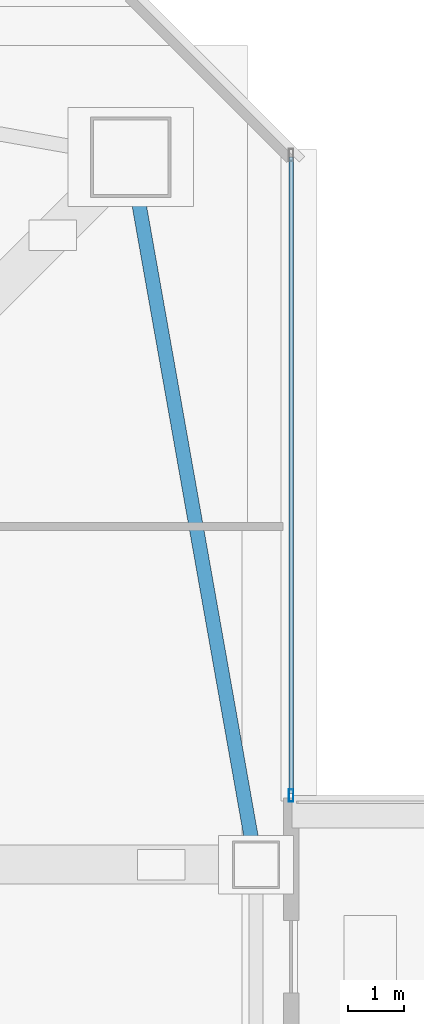
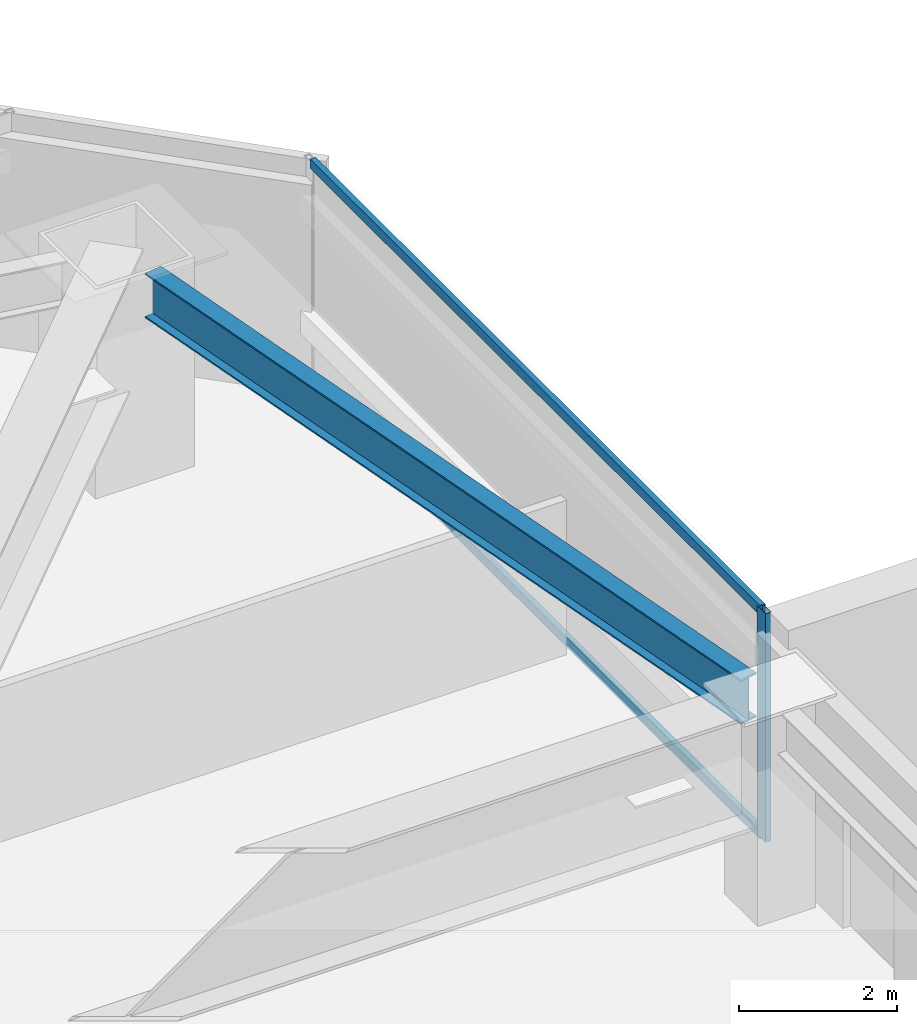
# One storey, part 15 of 49: 3 members, 1 beam, 1 element without a shape of its own.
"""IFC4 building model written with IfcOpenShell, lengths in metres."""

from ifc_helpers import new_model, si_unit, direction, frame, origin, origin_2d, place, context, subcontext, project, spatial, hollow_rectangle, i_section, extrude, material, material_profile, profile_set, type_object, element, aggregate, save


model = new_model("IFC4")

# Units and contexts
model_context = context("Model", 3, precision=1e-05, world=origin(), true_north=direction((0.0, 1.0)))
body_context = subcontext(model_context, "Body", "Model", "MODEL_VIEW")
ifc_project = project(units=[si_unit("LENGTHUNIT", "METRE"), si_unit("AREAUNIT", "SQUARE_METRE"), si_unit("VOLUMEUNIT", "CUBIC_METRE"), si_unit("PLANEANGLEUNIT", "RADIAN"), si_unit("MASSUNIT", "GRAM", prefix="KILO")], contexts=[model_context])

# Site, building, storey
site_placement = place(None, origin())
site = spatial("IfcSite", under=ifc_project, at=site_placement, CompositionType="ELEMENT")
building_placement = place(site_placement, origin())
building = spatial("IfcBuilding", under=site, at=building_placement, Name="Tashvorn Skyway Center", CompositionType="ELEMENT")
storey_placement = place(building_placement, frame((0.0, 0.0, 106.25)))
storey = spatial("IfcBuildingStorey", under=building, at=storey_placement, Name="L28", CompositionType="ELEMENT", Elevation=106.25)

# Beam
ifc_material_1 = material(Name="Steel ASTM A992 Grade 50", Category="steel")
ifc_material_profile_1 = material_profile(ifc_material_1, i_section(OverallWidth=0.256103515625, OverallDepth=0.693115234375, WebThickness=0.014404296875, FlangeThickness=0.023681640625, at=origin_2d()), Name="W27X114")
ifc_profile_set_1 = profile_set([ifc_material_profile_1], Name="Steel ASTM A992 Grade 50")
beam_type = type_object("IfcBeamType", Name="BM-SPANDREL-W27X114", PredefinedType="SPANDREL", material=ifc_profile_set_1)
beam_placement = place(storey_placement, frame((62.276611328125, 37.8134765625, 2.903564453125), z_axis=(-0.174437966698, 0.98466816531, 0.0), x_axis=(-0.98466816531, -0.174437966698, 0.0)))
element("IfcBeam", 1, at=beam_placement, inside=storey, type_object=beam_type, Name="Tower 1 L28 Spandrel Beam 06", PredefinedType="SPANDREL", context=body_context, shape_type="SweptSolid", body=[
    extrude(i_section(OverallWidth=0.256103515625, OverallDepth=0.693115234375, WebThickness=0.014404296875, FlangeThickness=0.023681640625, at=origin_2d()), origin(), (0.0, 0.0, 1.0), 11.7578125),
])

# Curtain wall, members
ifc_material_2 = material(Name="Thermally broken bronze-anodized aluminium 6063-T6", Category="aluminium")
curtain_wall_type = type_object("IfcCurtainWallType", Name="CW-CW-Z2", PredefinedType="NOTDEFINED", material=ifc_material_2)
curtain_wall_placement = place(storey_placement, origin())
curtain_wall = element("IfcCurtainWall", 2, at=curtain_wall_placement, inside=storey, type_object=curtain_wall_type, Name="Tower 1 L28 East Curtain Wall L", PredefinedType="NOTDEFINED")
ifc_material_profile_2 = material_profile(ifc_material_2, hollow_rectangle(XDim=0.080078125, YDim=0.219970703125, WallThickness=0.0048828125, at=origin_2d()), Name="ALU-MULL-80x220")
ifc_profile_set_2 = profile_set([ifc_material_profile_2], Name="Thermally broken bronze-anodized aluminium 6063-T6")
member_type_1 = type_object("IfcMemberType", Name="CWM-CW-Z2", PredefinedType="MULLION", material=ifc_profile_set_2)
member_1_placement = place(storey_placement, frame((62.97998046875, 38.639892578125, 0.0), z_axis=(0.0, 0.0, 1.0), x_axis=(1.0, 0.0, 0.0)))
member_1 = element("IfcMember", 3, at=member_1_placement, type_object=member_type_1, Name="CW-Z2 mullion 2", PredefinedType="MULLION", context=body_context, shape_type="SweptSolid", body=[
    extrude(hollow_rectangle(XDim=0.080078125, YDim=0.219970703125, WallThickness=0.0048828125, at=origin_2d()), origin(), (0.0, 0.0, 1.0), 3.550048828125),
])
ifc_material_profile_3 = material_profile(ifc_material_2, hollow_rectangle(XDim=0.080078125, YDim=0.14990234375, WallThickness=0.00439453125, at=origin_2d()), Name="ALU-TRAN-80x150")
ifc_profile_set_3 = profile_set([ifc_material_profile_3], Name="Thermally broken bronze-anodized aluminium 6063-T6")
member_type_2 = type_object("IfcMemberType", Name="CWT-CW-Z2", PredefinedType="USERDEFINED", material=ifc_profile_set_3)
member_2_placement = place(storey_placement, frame((62.97998046875, 50.10009765625, 0.0400390625), z_axis=(0.0, -1.0, 0.0), x_axis=(1.0, 0.0, 0.0)))
member_2 = element("IfcMember", 4, at=member_2_placement, type_object=member_type_2, Name="CW-Z2 transom 1.1", ObjectType="TRANSOM", PredefinedType="USERDEFINED", context=body_context, shape_type="SweptSolid", body=[
    extrude(hollow_rectangle(XDim=0.080078125, YDim=0.14990234375, WallThickness=0.00439453125, at=origin_2d()), origin(), (0.0, 0.0, 1.0), 11.420166015625),
])
member_3_placement = place(storey_placement, frame((62.97998046875, 50.10009765625, 3.510009765625), z_axis=(0.0, -1.0, 0.0), x_axis=(1.0, 0.0, 0.0)))
member_3 = element("IfcMember", 5, at=member_3_placement, type_object=member_type_2, Name="CW-Z2 transom 1.2", ObjectType="TRANSOM", PredefinedType="USERDEFINED", context=body_context, shape_type="SweptSolid", body=[
    extrude(hollow_rectangle(XDim=0.080078125, YDim=0.14990234375, WallThickness=0.00439453125, at=origin_2d()), origin(), (0.0, 0.0, 1.0), 11.420166015625),
])
aggregate(curtain_wall, [member_1, member_2, member_3])

save(model, "model.ifc")
